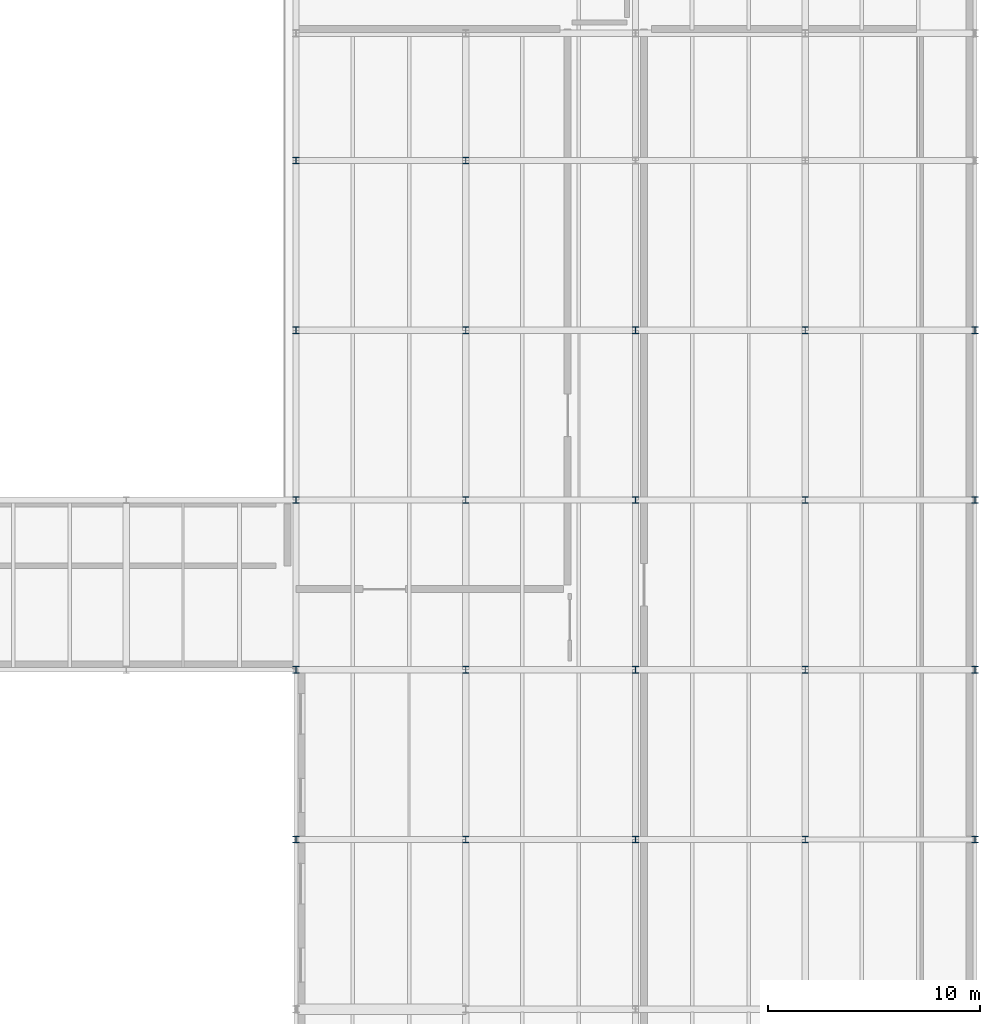
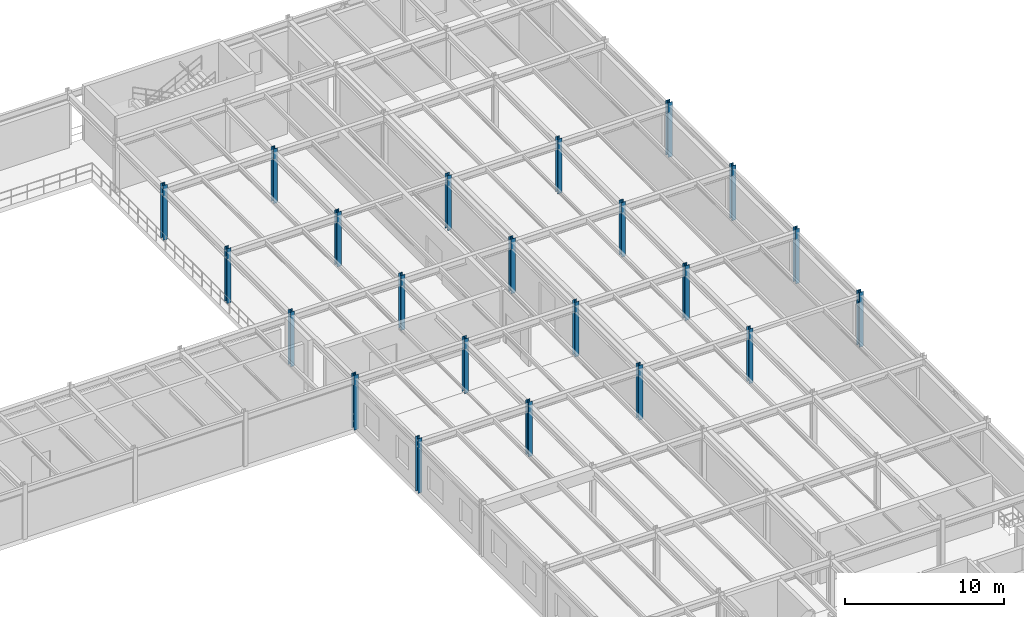
# One storey, part 17 of 122: 22 columns.
"""IFC4 building model written with IfcOpenShell, lengths in metres."""

from ifc_helpers import new_model, si_unit, direction, frame, origin, origin_2d, place, context, subcontext, project, spatial, i_section, extrude, material, material_profile, profile_set, type_object, element, save


model = new_model("IFC4")

# Units and contexts
model_context = context("Model", 3, precision=1e-05, world=origin(), true_north=direction((0.0, 1.0)))
body_context = subcontext(model_context, "Body", "Model", "MODEL_VIEW")
ifc_project = project(units=[si_unit("LENGTHUNIT", "METRE"), si_unit("AREAUNIT", "SQUARE_METRE"), si_unit("VOLUMEUNIT", "CUBIC_METRE"), si_unit("PLANEANGLEUNIT", "RADIAN"), si_unit("MASSUNIT", "GRAM", prefix="KILO")], contexts=[model_context])

# Site, building, storey
site_placement = place(None, origin())
site = spatial("IfcSite", under=ifc_project, at=site_placement, CompositionType="ELEMENT")
building_placement = place(site_placement, origin())
building = spatial("IfcBuilding", under=site, at=building_placement, Name="Sundkrona Museum", CompositionType="ELEMENT")
storey_placement = place(building_placement, frame((0.0, 0.0, 5.39990234375)))
storey = spatial("IfcBuildingStorey", under=building, at=storey_placement, Name="L01", CompositionType="ELEMENT", Elevation=5.39990234375)

# Columns
ifc_material = material(Name="Steel S355J2", Category="steel")
ifc_material_profile = material_profile(ifc_material, i_section(OverallWidth=0.300048828125, OverallDepth=0.320068359375, WebThickness=0.011474609375, FlangeThickness=0.0205078125, FilletRadius=0.027099609375, at=origin_2d()), Name="HEB 320")
ifc_profile_set = profile_set([ifc_material_profile], Name="Steel S355J2")
column_type = type_object("IfcColumnType", Name="C-HEB320", PredefinedType="COLUMN", material=ifc_profile_set)
for number, where, z_axis, x_axis, name in (
    (1, (136.0, 70.0, 0.0), (0.0, 0.0, 1.0), (1.0, 0.0, 0.0), "L01 Column K/18"),
    (2, (136.0, 78.0, 0.0), (0.0, 0.0, 1.0), (1.0, 0.0, 0.0), "L01 Column L/18"),
    (3, (136.0, 86.0, 0.0), (0.0, 0.0, 1.0), (1.0, 0.0, 0.0), "L01 Column M/18"),
    (4, (136.0, 94.0, 0.0), (0.0, 0.0, 1.0), (1.0, 0.0, 0.0), "L01 Column N/18"),
    (5, (136.0, 102.0, 0.0), (0.0, 0.0, 1.0), (1.0, 0.0, 0.0), "L01 Column P/18"),
    (6, (144.0, 70.0, 0.0), (0.0, 0.0, 1.0), (1.0, 0.0, 0.0), "L01 Column K/19"),
    (7, (144.0, 78.0, 0.0), (0.0, 0.0, 1.0), (1.0, 0.0, 0.0), "L01 Column L/19"),
    (8, (144.0, 86.0, 0.0), (0.0, 0.0, 1.0), (1.0, 0.0, 0.0), "L01 Column M/19"),
    (9, (144.0, 94.0, 0.0), (0.0, 0.0, 1.0), (1.0, 0.0, 0.0), "L01 Column N/19"),
    (10, (144.0, 102.0, 0.0), (0.0, 0.0, 1.0), (1.0, 0.0, 0.0), "L01 Column P/19"),
    (11, (152.0, 70.0, 0.0), (0.0, 0.0, 1.0), (1.0, 0.0, 0.0), "L01 Column K/20"),
    (12, (152.0, 78.0, 0.0), (0.0, 0.0, 1.0), (1.0, 0.0, 0.0), "L01 Column L/20"),
    (13, (152.0, 86.0, 0.0), (0.0, 0.0, 1.0), (1.0, 0.0, 0.0), "L01 Column M/20"),
    (14, (152.0, 94.0, 0.0), (0.0, 0.0, 1.0), (1.0, 0.0, 0.0), "L01 Column N/20"),
    (15, (160.0, 70.0, 0.0), (0.0, 0.0, 1.0), (1.0, 0.0, 0.0), "L01 Column K/21"),
    (16, (160.0, 78.0, 0.0), (0.0, 0.0, 1.0), (1.0, 0.0, 0.0), "L01 Column L/21"),
    (17, (160.0, 86.0, 0.0), (0.0, 0.0, 1.0), (1.0, 0.0, 0.0), "L01 Column M/21"),
    (18, (160.0, 94.0, 0.0), (0.0, 0.0, 1.0), (1.0, 0.0, 0.0), "L01 Column N/21"),
    (19, (168.0, 70.0, 0.0), (0.0, 0.0, 1.0), (1.0, 0.0, 0.0), "L01 Column K/22"),
    (20, (168.0, 78.0, 0.0), (0.0, 0.0, 1.0), (1.0, 0.0, 0.0), "L01 Column L/22"),
    (21, (168.0, 86.0, 0.0), (0.0, 0.0, 1.0), (1.0, 0.0, 0.0), "L01 Column M/22"),
    (22, (168.0, 94.0, 0.0), (0.0, 0.0, 1.0), (1.0, 0.0, 0.0), "L01 Column N/22"),
):
    element("IfcColumn", number, at=place(storey_placement, frame(where, z_axis=z_axis, x_axis=x_axis)), inside=storey, type_object=column_type, Name=name, PredefinedType="COLUMN", context=body_context, shape_type="SweptSolid", body=[
        extrude(i_section(OverallWidth=0.300048828125, OverallDepth=0.320068359375, WebThickness=0.011474609375, FlangeThickness=0.0205078125, FilletRadius=0.027099609375, at=origin_2d()), origin(), (0.0, 0.0, 1.0), 4.2001953125),
    ])

save(model, "model.ifc")
